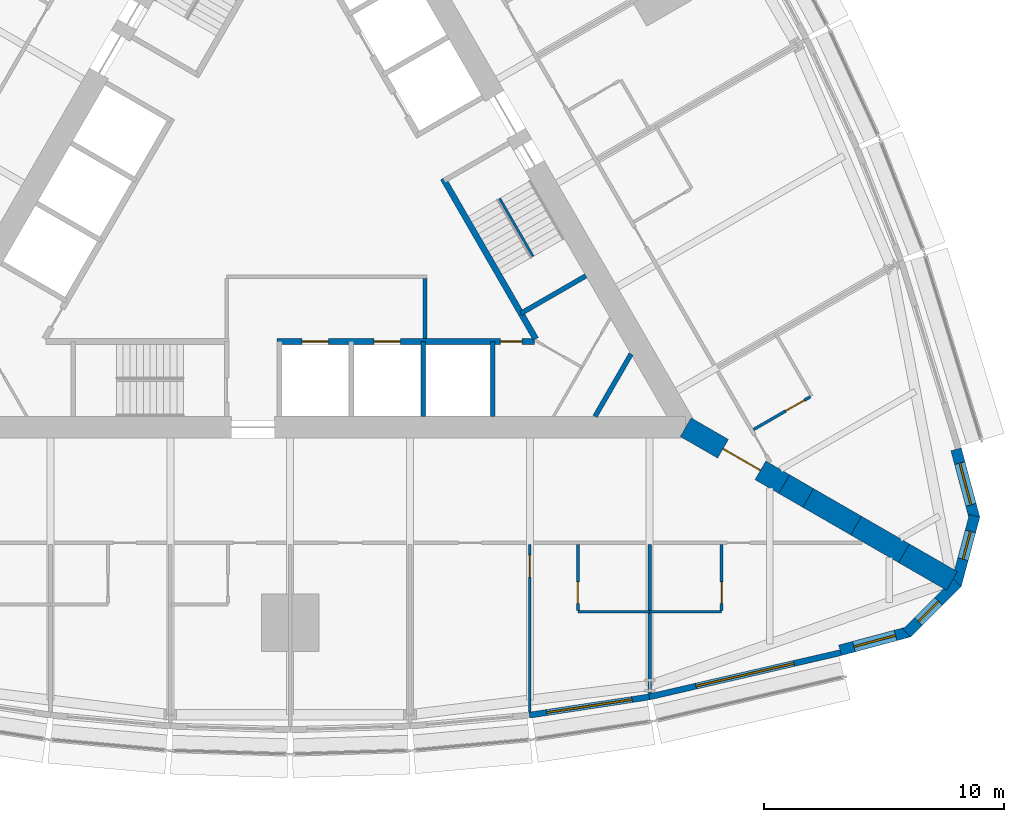
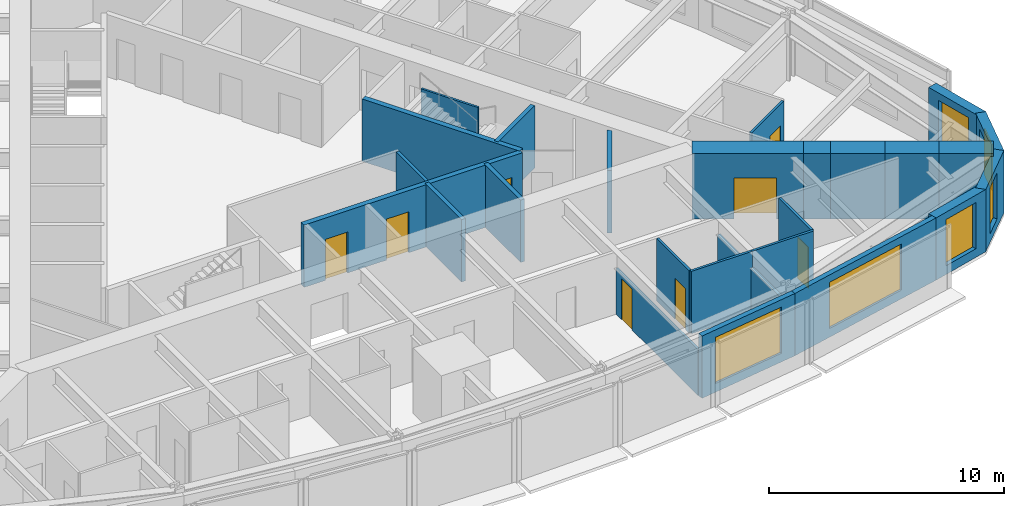
# One storey, part 10 of 14: 26 walls, 8 doors, 6 windows, 14 openings.
"""IFC4 building model written with IfcOpenShell, lengths in metres."""

from ifc_helpers import new_model, si_unit, direction, frame, frame_2d, origin, place, context, subcontext, project, spatial, polyline, rectangle, outline, extrude, material, layer, layer_set, type_object, element, fill, save


model = new_model("IFC4")

# Units and contexts
model_context = context("Model", 3, precision=1e-05, world=origin(), true_north=direction((0.0, 1.0)))
body_context = subcontext(model_context, "Body", "Model", "MODEL_VIEW")
ifc_project = project(units=[si_unit("LENGTHUNIT", "METRE"), si_unit("AREAUNIT", "SQUARE_METRE"), si_unit("VOLUMEUNIT", "CUBIC_METRE"), si_unit("PLANEANGLEUNIT", "RADIAN"), si_unit("MASSUNIT", "GRAM", prefix="KILO")], contexts=[model_context])

# Site, building, storey
site_placement = place(None, origin())
site = spatial("IfcSite", under=ifc_project, at=site_placement, CompositionType="ELEMENT")
building_placement = place(site_placement, origin())
building = spatial("IfcBuilding", under=site, at=building_placement, Name="Trikona Tower", CompositionType="ELEMENT")
storey_placement = place(building_placement, frame((0.0, 0.0, 65.89990234375)))
storey = spatial("IfcBuildingStorey", under=building, at=storey_placement, Name="L16", CompositionType="ELEMENT", Elevation=65.89990234375)

# Wall
ifc_material_1 = material(Name="Metal stud and cement board", Category="gypsum")
ifc_layer_1 = layer(ifc_material_1, 0.1201171875)
ifc_layer_set_1 = layer_set([ifc_layer_1], Name="Bathroom wall 120")
wall_type_1 = type_object("IfcWallType", Name="Bathroom wall 120", PredefinedType="PLUMBINGWALL", material=ifc_layer_set_1)
wall_1_placement = place(storey_placement, frame((12.0, -17.226318359375, 0.0), z_axis=(0.0, 0.0, 1.0), x_axis=(1.0, 0.0, 0.0)))
element("IfcWall", 1, at=wall_1_placement, inside=storey, type_object=wall_type_1, Name="Bathroom wall 1605.1", PredefinedType="PLUMBINGWALL", context=body_context, shape_type="SweptSolid", body=[
    extrude(rectangle(XDim=3.0, YDim=0.1201171875, at=frame_2d((1.5, 0.0))), origin(), (0.0, 0.0, 1.0), 3.235107421875),
])

# Wall, opening, door
wall_2_placement = place(storey_placement, frame((12.0, -14.42626953125, 0.0), z_axis=(0.0, 0.0, 1.0), x_axis=(0.0, -1.0, 0.0)))
wall_2 = element("IfcWall", 2, at=wall_2_placement, inside=storey, type_object=wall_type_1, Name="Bathroom wall 1605.1", PredefinedType="PLUMBINGWALL", context=body_context, shape_type="SweptSolid", body=[
    extrude(rectangle(XDim=2.739990234375, YDim=0.1201171875, at=frame_2d((1.3701171875, 0.0))), origin(), (0.0, 0.0, 1.0), 3.235107421875),
])
opening_1_placement = place(wall_2_placement, frame((1.550048828125, 0.0, 0.0)))
opening_1 = element("IfcOpeningElement", 3, at=opening_1_placement, cuts=wall_2, Name="Opening D2", PredefinedType="OPENING", context=body_context, shape_type="SweptSolid", body=[
    extrude(rectangle(XDim=0.89990234375, YDim=2.1298828125, at=frame_2d((0.449951171875, 1.06494140625))), frame((0.0, 0.070068359375, 0.0), z_axis=(0.0, -1.0, 0.0), x_axis=(1.0, 0.0, 0.0)), (0.0, 0.0, 1.0), 0.14013671875),
])
ifc_material_2 = material(Name="Steel door frame with solid-core timber leaf", Category="steel")
door_type_1 = type_object("IfcDoorType", Name="Bathroom door 900x2130", OperationType="SLIDING_TO_LEFT", PredefinedType="DOOR", material=ifc_material_2)
door_1_placement = place(opening_1_placement, origin())
door_1 = element("IfcDoor", 4, at=door_1_placement, inside=storey, type_object=door_type_1, Name="Bathroom door 1605.1", OperationType="SLIDING_TO_LEFT", OverallHeight=2.1298828125, OverallWidth=0.89990234375, PredefinedType="DOOR", context=body_context, shape_type="SweptSolid", body=[
    extrude(rectangle(XDim=0.89990234375, YDim=2.1298828125, at=frame_2d((0.449951171875, 1.06494140625))), frame((0.0, 0.02490234375, 0.0), z_axis=(0.0, -1.0, 0.0), x_axis=(1.0, 0.0, 0.0)), (0.0, 0.0, 1.0), 0.050048828125),
])
fill(opening_1, door_1)

# Wall
wall_3_placement = place(storey_placement, frame((15.0, -17.226318359375, 0.0), z_axis=(0.0, 0.0, 1.0), x_axis=(1.0, 0.0, 0.0)))
element("IfcWall", 5, at=wall_3_placement, inside=storey, type_object=wall_type_1, Name="Bathroom wall 1606", PredefinedType="PLUMBINGWALL", context=body_context, shape_type="SweptSolid", body=[
    extrude(rectangle(XDim=3.0, YDim=0.1201171875, at=frame_2d((1.5, 0.0))), origin(), (0.0, 0.0, 1.0), 3.235107421875),
])

# Wall, opening, door
wall_4_placement = place(storey_placement, frame((18.0, -14.42626953125, 0.0), z_axis=(0.0, 0.0, 1.0), x_axis=(0.0, -1.0, 0.0)))
wall_4 = element("IfcWall", 6, at=wall_4_placement, inside=storey, type_object=wall_type_1, Name="Bathroom wall 1606", PredefinedType="PLUMBINGWALL", context=body_context, shape_type="SweptSolid", body=[
    extrude(rectangle(XDim=2.739990234375, YDim=0.1201171875, at=frame_2d((1.3701171875, 0.0))), origin(), (0.0, 0.0, 1.0), 3.235107421875),
])
opening_2_placement = place(wall_4_placement, frame((1.550048828125, 0.0, 0.0)))
opening_2 = element("IfcOpeningElement", 7, at=opening_2_placement, cuts=wall_4, Name="Opening D2", PredefinedType="OPENING", context=body_context, shape_type="SweptSolid", body=[
    extrude(rectangle(XDim=0.89990234375, YDim=2.1298828125, at=frame_2d((0.449951171875, 1.06494140625))), frame((0.0, 0.070068359375, 0.0), z_axis=(0.0, -1.0, 0.0), x_axis=(1.0, 0.0, 0.0)), (0.0, 0.0, 1.0), 0.14013671875),
])
door_2_placement = place(opening_2_placement, origin())
door_2 = element("IfcDoor", 8, at=door_2_placement, inside=storey, type_object=door_type_1, Name="Bathroom door 1606", OperationType="SLIDING_TO_LEFT", OverallHeight=2.1298828125, OverallWidth=0.89990234375, PredefinedType="DOOR", context=body_context, shape_type="SweptSolid", body=[
    extrude(rectangle(XDim=0.89990234375, YDim=2.1298828125, at=frame_2d((0.449951171875, 1.06494140625))), frame((0.0, 0.02490234375, 0.0), z_axis=(0.0, -1.0, 0.0), x_axis=(1.0, 0.0, 0.0)), (0.0, 0.0, 1.0), 0.050048828125),
])
fill(opening_2, door_2)

wall_5_placement = place(storey_placement, frame((19.32861328125, -9.625244140625, 0.0), z_axis=(0.0, 0.0, 1.0), x_axis=(0.866035715982, 0.499982138324, 0.0)))
wall_5 = element("IfcWall", 9, at=wall_5_placement, inside=storey, type_object=wall_type_1, Name="Bathroom wall 1607", PredefinedType="PLUMBINGWALL", context=body_context, shape_type="SweptSolid", body=[
    extrude(rectangle(XDim=2.73974609375, YDim=0.1201171875, at=frame_2d((1.369873046875, 0.0))), origin(), (0.0, 0.0, 1.0), 3.235107421875),
])
opening_3_placement = place(wall_5_placement, frame((1.550048828125, 0.0, 0.0)))
opening_3 = element("IfcOpeningElement", 10, at=opening_3_placement, cuts=wall_5, Name="Opening D2", PredefinedType="OPENING", context=body_context, shape_type="SweptSolid", body=[
    extrude(rectangle(XDim=0.89990234375, YDim=2.1298828125, at=frame_2d((0.449951171875, 1.06494140625))), frame((0.0, 0.070068359375, 0.0), z_axis=(0.0, -1.0, 0.0), x_axis=(1.0, 0.0, 0.0)), (0.0, 0.0, 1.0), 0.14013671875),
])
door_3_placement = place(opening_3_placement, origin())
door_3 = element("IfcDoor", 11, at=door_3_placement, inside=storey, type_object=door_type_1, Name="Bathroom door 1607", OperationType="SLIDING_TO_LEFT", OverallHeight=2.1298828125, OverallWidth=0.89990234375, PredefinedType="DOOR", context=body_context, shape_type="SweptSolid", body=[
    extrude(rectangle(XDim=0.89990234375, YDim=2.1298828125, at=frame_2d((0.449951171875, 1.06494140625))), frame((0.0, 0.02490234375, 0.0), z_axis=(0.0, -1.0, 0.0), x_axis=(1.0, 0.0, 0.0)), (0.0, 0.0, 1.0), 0.050048828125),
])
fill(opening_3, door_3)

# Wall, opening, window
ifc_material_3 = material(Name="Brick-faced precast concrete", Category="masonry")
ifc_layer_2 = layer(ifc_material_3, 0.449951171875)
ifc_layer_set_2 = layer_set([ifc_layer_2], Name="Brick-faced corner wall 450")
wall_type_2 = type_object("IfcWallType", Name="Brick-faced corner wall 450", PredefinedType="SOLIDWALL", material=ifc_layer_set_2)
wall_6_placement = place(storey_placement, frame((22.94189453125, -18.835205078125, 0.0), z_axis=(0.0, 0.0, 1.0), x_axis=(0.965930548995, 0.258801419081, 0.0)))
wall_6 = element("IfcWall", 12, at=wall_6_placement, inside=storey, type_object=wall_type_2, Name="External wall L16-08", PredefinedType="SOLIDWALL", context=body_context, shape_type="SweptSolid", body=[
    extrude(rectangle(XDim=2.988525390625, YDim=0.449951171875, at=frame_2d((1.494140625, 0.0))), origin(), (0.0, 0.0, 1.0), 3.235107421875),
])
opening_4_placement = place(wall_6_placement, frame((0.59423828125, 0.0, 0.449951171875)))
opening_4 = element("IfcOpeningElement", 13, at=opening_4_placement, cuts=wall_6, Name="Opening W1824", PredefinedType="OPENING", context=body_context, shape_type="SweptSolid", body=[
    extrude(rectangle(XDim=1.800048828125, YDim=2.39990234375, at=frame_2d((0.89990234375, 1.199951171875))), frame((0.0, 0.23486328125, 0.0), z_axis=(0.0, -1.0, 0.0), x_axis=(1.0, 0.0, 0.0)), (0.0, 0.0, 1.0), 0.469970703125),
])
ifc_material_4 = material(Name="Aluminium-framed double glazing", Category="aluminium")
window_type_1 = type_object("IfcWindowType", Name="Window 1800x2400", PartitioningType="SINGLE_PANEL", PredefinedType="WINDOW", material=ifc_material_4)
window_1_placement = place(opening_4_placement, origin())
window_1 = element("IfcWindow", 14, at=window_1_placement, inside=storey, type_object=window_type_1, Name="Window 1606", OverallHeight=2.39990234375, OverallWidth=1.800048828125, PartitioningType="SINGLE_PANEL", PredefinedType="WINDOW", context=body_context, shape_type="SweptSolid", body=[
    extrude(rectangle(XDim=1.800048828125, YDim=2.39990234375, at=frame_2d((0.89990234375, 1.199951171875))), frame((0.0, 0.030029296875, 0.0), z_axis=(0.0, -1.0, 0.0), x_axis=(1.0, 0.0, 0.0)), (0.0, 0.0, 1.0), 0.06005859375),
])
fill(opening_4, window_1)

wall_7_placement = place(storey_placement, frame((25.727783203125, -18.1201171875, 0.0), z_axis=(0.0, 0.0, 1.0), x_axis=(0.707025086683, 0.707188466253, 0.0)))
wall_7 = element("IfcWall", 15, at=wall_7_placement, inside=storey, type_object=wall_type_2, Name="External wall L16-09", PredefinedType="SOLIDWALL", context=body_context, shape_type="SweptSolid", body=[
    extrude(outline(polyline([(2.988525390625, 0.22509765625), (2.929931640625, 0.22509765625), (2.4375, 0.093017578125), (2.402099609375, 0.22509765625), (0.0, 0.22509765625), (0.0, -0.22509765625), (2.988525390625, -0.22509765625), (2.988525390625, 0.22509765625)])), origin(), (0.0, 0.0, 1.0), 3.235107421875),
])
opening_5_placement = place(wall_7_placement, frame((0.676025390625, 0.0, 0.449951171875)))
opening_5 = element("IfcOpeningElement", 16, at=opening_5_placement, cuts=wall_7, Name="Opening W1224", PredefinedType="OPENING", context=body_context, shape_type="SweptSolid", body=[
    extrude(rectangle(XDim=1.199951171875, YDim=2.39990234375, at=frame_2d((0.60009765625, 1.199951171875))), frame((0.0, 0.23486328125, 0.0), z_axis=(0.0, -1.0, 0.0), x_axis=(1.0, 0.0, 0.0)), (0.0, 0.0, 1.0), 0.469970703125),
])
ifc_material_5 = material(Name="Aluminium-framed double glazing", Category="aluminium")
window_type_2 = type_object("IfcWindowType", Name="Window 1200x2400", PartitioningType="SINGLE_PANEL", PredefinedType="WINDOW", material=ifc_material_5)
window_2_placement = place(opening_5_placement, origin())
window_2 = element("IfcWindow", 17, at=window_2_placement, inside=storey, type_object=window_type_2, Name="Window 1606", OverallHeight=2.39990234375, OverallWidth=1.199951171875, PartitioningType="SINGLE_PANEL", PredefinedType="WINDOW", context=body_context, shape_type="SweptSolid", body=[
    extrude(rectangle(XDim=1.199951171875, YDim=2.39990234375, at=frame_2d((0.60009765625, 1.199951171875))), frame((0.0, 0.030029296875, 0.0), z_axis=(0.0, -1.0, 0.0), x_axis=(1.0, 0.0, 0.0)), (0.0, 0.0, 1.0), 0.06005859375),
])
fill(opening_5, window_2)

wall_8_placement = place(storey_placement, frame((27.78271484375, -16.107666015625, 0.0), z_axis=(0.0, 0.0, 1.0), x_axis=(0.258801419081, 0.965930548995, 0.0)))
wall_8 = element("IfcWall", 18, at=wall_8_placement, inside=storey, type_object=wall_type_2, Name="External wall L16-10", PredefinedType="SOLIDWALL", context=body_context, shape_type="SweptSolid", body=[
    extrude(outline(polyline([(2.988525390625, 0.22509765625), (0.58642578125, 0.22509765625), (0.55126953125, 0.09326171875), (0.0595703125, 0.22509765625), (0.0, 0.22509765625), (0.0, -0.22509765625), (2.988525390625, -0.22509765625), (2.988525390625, 0.22509765625)])), origin(), (0.0, 0.0, 1.0), 3.235107421875),
])
opening_6_placement = place(wall_8_placement, frame((1.112548828125, 0.0, 0.449951171875)))
opening_6 = element("IfcOpeningElement", 19, at=opening_6_placement, cuts=wall_8, Name="Opening W1224", PredefinedType="OPENING", context=body_context, shape_type="SweptSolid", body=[
    extrude(rectangle(XDim=1.199951171875, YDim=2.39990234375, at=frame_2d((0.60009765625, 1.199951171875))), frame((0.0, 0.23486328125, 0.0), z_axis=(0.0, -1.0, 0.0), x_axis=(1.0, 0.0, 0.0)), (0.0, 0.0, 1.0), 0.469970703125),
])
window_3_placement = place(opening_6_placement, origin())
window_3 = element("IfcWindow", 20, at=window_3_placement, inside=storey, type_object=window_type_2, Name="Window 1607", OverallHeight=2.39990234375, OverallWidth=1.199951171875, PartitioningType="SINGLE_PANEL", PredefinedType="WINDOW", context=body_context, shape_type="SweptSolid", body=[
    extrude(rectangle(XDim=1.199951171875, YDim=2.39990234375, at=frame_2d((0.60009765625, 1.199951171875))), frame((0.0, 0.030029296875, 0.0), z_axis=(0.0, -1.0, 0.0), x_axis=(1.0, 0.0, 0.0)), (0.0, 0.0, 1.0), 0.06005859375),
])
fill(opening_6, window_3)

wall_9_placement = place(storey_placement, frame((28.55615234375, -13.33740234375, 0.0), z_axis=(0.0, 0.0, 1.0), x_axis=(-0.258780998834, 0.965936019953, 0.0)))
wall_9 = element("IfcWall", 21, at=wall_9_placement, inside=storey, type_object=wall_type_2, Name="External wall L16-11", PredefinedType="SOLIDWALL", context=body_context, shape_type="SweptSolid", body=[
    extrude(rectangle(XDim=2.98876953125, YDim=0.449951171875, at=frame_2d((1.494384765625, 0.0))), origin(), (0.0, 0.0, 1.0), 3.235107421875),
])
opening_7_placement = place(wall_9_placement, frame((0.59423828125, 0.0, 0.449951171875)))
opening_7 = element("IfcOpeningElement", 22, at=opening_7_placement, cuts=wall_9, Name="Opening W1824", PredefinedType="OPENING", context=body_context, shape_type="SweptSolid", body=[
    extrude(rectangle(XDim=1.800048828125, YDim=2.39990234375, at=frame_2d((0.89990234375, 1.199951171875))), frame((0.0, 0.23486328125, 0.0), z_axis=(0.0, -1.0, 0.0), x_axis=(1.0, 0.0, 0.0)), (0.0, 0.0, 1.0), 0.469970703125),
])
window_4_placement = place(opening_7_placement, origin())
window_4 = element("IfcWindow", 23, at=window_4_placement, inside=storey, type_object=window_type_1, Name="Window 1607", OverallHeight=2.39990234375, OverallWidth=1.800048828125, PartitioningType="SINGLE_PANEL", PredefinedType="WINDOW", context=body_context, shape_type="SweptSolid", body=[
    extrude(rectangle(XDim=1.800048828125, YDim=2.39990234375, at=frame_2d((0.89990234375, 1.199951171875))), frame((0.0, 0.030029296875, 0.0), z_axis=(0.0, -1.0, 0.0), x_axis=(1.0, 0.0, 0.0)), (0.0, 0.0, 1.0), 0.06005859375),
])
fill(opening_7, window_4)

# Wall, opening, door
ifc_material_6 = material(Name="Concrete f'c 10000 psi", Category="concrete")
ifc_layer_3 = layer(ifc_material_6, 0.89990234375)
ifc_layer_set_3 = layer_set([ifc_layer_3], Name="Buttress wall 900")
wall_type_3 = type_object("IfcWallType", Name="Buttress wall 900", PredefinedType="SHEAR", material=ifc_layer_set_3)
wall_10_placement = place(storey_placement, frame((16.5, -9.5263671875, 0.0), z_axis=(0.0, 0.0, 1.0), x_axis=(0.866031398331, -0.499989616998, 0.0)))
wall_10 = element("IfcWall", 24, at=wall_10_placement, inside=storey, type_object=wall_type_3, Name="Buttress wall 1", PredefinedType="SHEAR", context=body_context, shape_type="SweptSolid", body=[
    extrude(rectangle(XDim=4.74609375, YDim=0.89990234375, at=frame_2d((2.373046875, 0.0))), origin(), (0.0, 0.0, 1.0), 3.400146484375),
])
opening_8_placement = place(wall_10_placement, frame((1.800048828125, 0.0, 0.0)))
opening_8 = element("IfcOpeningElement", 25, at=opening_8_placement, cuts=wall_10, Name="Opening D10", PredefinedType="OPENING", context=body_context, shape_type="SweptSolid", body=[
    extrude(rectangle(XDim=1.800048828125, YDim=2.1298828125, at=frame_2d((0.89990234375, 1.06494140625))), frame((0.0, 0.4599609375, 0.0), z_axis=(0.0, -1.0, 0.0), x_axis=(1.0, 0.0, 0.0)), (0.0, 0.0, 1.0), 0.919921875),
])
ifc_material_7 = material(Name="Hollow metal door and frame", Category="steel")
door_type_2 = type_object("IfcDoorType", Name="Cross-corridor door pair 1800x2130", OperationType="DOUBLE_DOOR_DOUBLE_SWING", PredefinedType="DOOR", material=ifc_material_7)
door_4_placement = place(opening_8_placement, origin())
door_4 = element("IfcDoor", 26, at=door_4_placement, inside=storey, type_object=door_type_2, Name="Cross-corridor door 1", OperationType="DOUBLE_DOOR_DOUBLE_SWING", OverallHeight=2.1298828125, OverallWidth=1.800048828125, PredefinedType="DOOR", context=body_context, shape_type="SweptSolid", body=[
    extrude(rectangle(XDim=1.800048828125, YDim=2.1298828125, at=frame_2d((0.89990234375, 1.06494140625))), frame((0.0, 0.02490234375, 0.0), z_axis=(0.0, -1.0, 0.0), x_axis=(1.0, 0.0, 0.0)), (0.0, 0.0, 1.0), 0.050048828125),
])
fill(opening_8, door_4)

# Walls
wall_11_placement = place(storey_placement, frame((20.6103515625, -11.8994140625, 0.0), z_axis=(0.0, 0.0, 1.0), x_axis=(0.866009537788, -0.500027479704, 0.0)))
element("IfcWall", 27, at=wall_11_placement, inside=storey, type_object=wall_type_3, Name="Buttress wall 1 part 2", PredefinedType="SHEAR", context=body_context, shape_type="SweptSolid", body=[
    extrude(rectangle(XDim=1.15478515625, YDim=0.89990234375, at=frame_2d((0.577392578125, 0.0))), origin(), (0.0, 0.0, 1.0), 3.400146484375),
])
for number, where, z_axis, x_axis, name in (
    (28, (21.6103515625, -12.476806640625, 0.0), (0.0, 0.0, 1.0), (0.866055313784, -0.499948190782, 0.0), "Buttress wall 1 part 3"),
    (29, (23.6103515625, -13.63134765625, 0.0), (0.0, 0.0, 1.0), (0.866009537788, -0.500027479704, 0.0), "Buttress wall 1 part 4"),
    (30, (25.6103515625, -14.7861328125, 0.0), (0.0, 0.0, 1.0), (0.866009537788, -0.500027479704, 0.0), "Buttress wall 1 part 5"),
):
    element("IfcWall", number, at=place(storey_placement, frame(where, z_axis=z_axis, x_axis=x_axis)), inside=storey, type_object=wall_type_3, Name=name, PredefinedType="SHEAR", context=body_context, shape_type="SweptSolid", body=[
        extrude(rectangle(XDim=2.309326171875, YDim=0.89990234375, at=frame_2d((1.15478515625, 0.0))), origin(), (0.0, 0.0, 1.0), 3.400146484375),
    ])

# Wall, openings, doors
ifc_material_8 = material(Name="Concrete f'c 8000 psi", Category="concrete")
ifc_layer_4 = layer(ifc_material_8, 0.25)
ifc_layer_set_4 = layer_set([ifc_layer_4], Name="Hub wall 250")
wall_type_4 = type_object("IfcWallType", Name="Hub wall 250", PredefinedType="SOLIDWALL", material=ifc_layer_set_4)
wall_12_placement = place(storey_placement, frame((-0.550048828125, -5.951416015625, 0.0), z_axis=(0.0, 0.0, 1.0), x_axis=(1.0, 0.0, 0.0)))
wall_12 = element("IfcWall", 31, at=wall_12_placement, inside=storey, type_object=wall_type_4, Name="Lift lobby wall A2", PredefinedType="SOLIDWALL", context=body_context, shape_type="SweptSolid", body=[
    extrude(rectangle(XDim=10.73291015625, YDim=0.25, at=frame_2d((5.366455078125, 0.0))), origin(), (0.0, 0.0, 1.0), 3.235107421875),
])
opening_9_placement = place(wall_12_placement, frame((9.31396484375, 0.0, 0.0)))
opening_9 = element("IfcOpeningElement", 32, at=opening_9_placement, cuts=wall_12, Name="Opening D14", PredefinedType="OPENING", context=body_context, shape_type="SweptSolid", body=[
    extrude(rectangle(XDim=0.89990234375, YDim=2.1298828125, at=frame_2d((0.449951171875, 1.06494140625))), frame((0.0, 0.135009765625, 0.0), z_axis=(0.0, -1.0, 0.0), x_axis=(1.0, 0.0, 0.0)), (0.0, 0.0, 1.0), 0.27001953125),
])
opening_10_placement = place(wall_12_placement, frame((1.050048828125, 0.0, 0.0)))
opening_10 = element("IfcOpeningElement", 33, at=opening_10_placement, cuts=wall_12, Name="Opening LD", PredefinedType="OPENING", context=body_context, shape_type="SweptSolid", body=[
    extrude(rectangle(XDim=1.10009765625, YDim=2.1298828125, at=frame_2d((0.550048828125, 1.06494140625))), frame((0.0, 0.135009765625, 0.0), z_axis=(0.0, -1.0, 0.0), x_axis=(1.0, 0.0, 0.0)), (0.0, 0.0, 1.0), 0.27001953125),
])
opening_11_placement = place(wall_12_placement, frame((4.050048828125, 0.0, 0.0)))
opening_11 = element("IfcOpeningElement", 34, at=opening_11_placement, cuts=wall_12, Name="Opening LD", PredefinedType="OPENING", context=body_context, shape_type="SweptSolid", body=[
    extrude(rectangle(XDim=1.10009765625, YDim=2.1298828125, at=frame_2d((0.550048828125, 1.06494140625))), frame((0.0, 0.135009765625, 0.0), z_axis=(0.0, -1.0, 0.0), x_axis=(1.0, 0.0, 0.0)), (0.0, 0.0, 1.0), 0.27001953125),
])
ifc_material_9 = material(Name="Stainless steel lift landing door", Category="steel")
door_type_3 = type_object("IfcDoorType", Name="Lift landing door 1100x2130", OperationType="DOUBLE_DOOR_SLIDING", PredefinedType="USERDEFINED", material=ifc_material_9)
door_5_placement = place(opening_10_placement, origin())
door_5 = element("IfcDoor", 35, at=door_5_placement, inside=storey, type_object=door_type_3, Name="Lift landing door FF1", ObjectType="LIFT LANDING DOOR", OperationType="DOUBLE_DOOR_SLIDING", OverallHeight=2.1298828125, OverallWidth=1.10009765625, PredefinedType="USERDEFINED", context=body_context, shape_type="SweptSolid", body=[
    extrude(rectangle(XDim=1.10009765625, YDim=2.1298828125, at=frame_2d((0.550048828125, 1.06494140625))), frame((0.0, 0.02490234375, 0.0), z_axis=(0.0, -1.0, 0.0), x_axis=(1.0, 0.0, 0.0)), (0.0, 0.0, 1.0), 0.050048828125),
])
fill(opening_10, door_5)
door_6_placement = place(opening_11_placement, origin())
door_6 = element("IfcDoor", 36, at=door_6_placement, inside=storey, type_object=door_type_3, Name="Lift landing door FF2", ObjectType="LIFT LANDING DOOR", OperationType="DOUBLE_DOOR_SLIDING", OverallHeight=2.1298828125, OverallWidth=1.10009765625, PredefinedType="USERDEFINED", context=body_context, shape_type="SweptSolid", body=[
    extrude(rectangle(XDim=1.10009765625, YDim=2.1298828125, at=frame_2d((0.550048828125, 1.06494140625))), frame((0.0, 0.02490234375, 0.0), z_axis=(0.0, -1.0, 0.0), x_axis=(1.0, 0.0, 0.0)), (0.0, 0.0, 1.0), 0.050048828125),
])
fill(opening_11, door_6)
ifc_material_10 = material(Name="Hollow metal door and frame", Category="steel")
door_type_4 = type_object("IfcDoorType", Name="Service room door 900x2130", OperationType="SINGLE_SWING_LEFT", PredefinedType="DOOR", material=ifc_material_10)
door_7_placement = place(opening_9_placement, origin())
door_7 = element("IfcDoor", 37, at=door_7_placement, inside=storey, type_object=door_type_4, Name="Door Linen store LIN", OperationType="SINGLE_SWING_RIGHT", OverallHeight=2.1298828125, OverallWidth=0.89990234375, PredefinedType="DOOR", context=body_context, shape_type="SweptSolid", body=[
    extrude(rectangle(XDim=0.89990234375, YDim=2.1298828125, at=frame_2d((0.449951171875, 1.06494140625))), frame((0.0, 0.02490234375, 0.0), z_axis=(0.0, -1.0, 0.0), x_axis=(1.0, 0.0, 0.0)), (0.0, 0.0, 1.0), 0.050048828125),
])
fill(opening_9, door_7)

# Wall
wall_13_placement = place(storey_placement, frame((10.245361328125, -5.843017578125, 0.0), z_axis=(0.0, 0.0, 1.0), x_axis=(-0.499993009313, 0.866029439822, 0.0)))
element("IfcWall", 38, at=wall_13_placement, inside=storey, type_object=wall_type_4, Name="Lift lobby wall B1", PredefinedType="SOLIDWALL", context=body_context, shape_type="SweptSolid", body=[
    extrude(rectangle(XDim=7.73291015625, YDim=0.25, at=frame_2d((3.866455078125, 0.0))), origin(), (0.0, 0.0, 1.0), 3.235107421875),
])

# Wall, opening, window
ifc_material_11 = material(Name="Insulated precast concrete spandrel panel", Category="concrete")
ifc_layer_5 = layer(ifc_material_11, 0.25)
ifc_layer_set_5 = layer_set([ifc_layer_5], Name="Inner skin wall 250")
wall_type_5 = type_object("IfcWallType", Name="Inner skin wall 250", PredefinedType="STANDARD", material=ifc_layer_set_5)
wall_14_placement = place(storey_placement, frame((9.981201171875, -21.540283203125, 0.0), z_axis=(0.0, 0.0, 1.0), x_axis=(0.988615403399, 0.150464561152, 0.0)))
wall_14 = element("IfcWall", 39, at=wall_14_placement, inside=storey, type_object=wall_type_5, Name="External wall L16-06", PredefinedType="STANDARD", context=body_context, shape_type="SweptSolid", body=[
    extrude(rectangle(XDim=5.0576171875, YDim=0.25, at=frame_2d((2.52880859375, 0.0))), origin(), (0.0, 0.0, 1.0), 3.235107421875),
])
opening_12_placement = place(wall_14_placement, frame((0.728759765625, 0.0, 0.449951171875)))
opening_12 = element("IfcOpeningElement", 40, at=opening_12_placement, cuts=wall_14, Name="Opening W3624", PredefinedType="OPENING", context=body_context, shape_type="SweptSolid", body=[
    extrude(rectangle(XDim=3.60009765625, YDim=2.39990234375, at=frame_2d((1.800048828125, 1.199951171875))), frame((0.0, 0.135009765625, 0.0), z_axis=(0.0, -1.0, 0.0), x_axis=(1.0, 0.0, 0.0)), (0.0, 0.0, 1.0), 0.27001953125),
])
ifc_material_12 = material(Name="Aluminium-framed double glazing", Category="aluminium")
window_type_3 = type_object("IfcWindowType", Name="Window 3600x2400", PartitioningType="SINGLE_PANEL", PredefinedType="WINDOW", material=ifc_material_12)
window_5_placement = place(opening_12_placement, origin())
window_5 = element("IfcWindow", 41, at=window_5_placement, inside=storey, type_object=window_type_3, Name="Window 1605.1", OverallHeight=2.39990234375, OverallWidth=3.60009765625, PartitioningType="SINGLE_PANEL", PredefinedType="WINDOW", context=body_context, shape_type="SweptSolid", body=[
    extrude(rectangle(XDim=3.60009765625, YDim=2.39990234375, at=frame_2d((1.800048828125, 1.199951171875))), frame((0.0, 0.030029296875, 0.0), z_axis=(0.0, -1.0, 0.0), x_axis=(1.0, 0.0, 0.0)), (0.0, 0.0, 1.0), 0.06005859375),
])
fill(opening_12, window_5)

wall_15_placement = place(storey_placement, frame((14.9716796875, -20.78125, 0.0), z_axis=(0.0, 0.0, 1.0), x_axis=(0.974279327392, 0.225343720163, 0.0)))
wall_15 = element("IfcWall", 42, at=wall_15_placement, inside=storey, type_object=wall_type_5, Name="External wall L16-07", PredefinedType="STANDARD", context=body_context, shape_type="SweptSolid", body=[
    extrude(rectangle(XDim=8.211181640625, YDim=0.25, at=frame_2d((4.10546875, 0.0))), origin(), (0.0, 0.0, 1.0), 3.235107421875),
])
opening_13_placement = place(wall_15_placement, frame((2.005615234375, 0.0, 0.449951171875)))
opening_13 = element("IfcOpeningElement", 43, at=opening_13_placement, cuts=wall_15, Name="Opening W4224", PredefinedType="OPENING", context=body_context, shape_type="SweptSolid", body=[
    extrude(rectangle(XDim=4.199951171875, YDim=2.39990234375, at=frame_2d((2.10009765625, 1.199951171875))), frame((0.0, 0.135009765625, 0.0), z_axis=(0.0, -1.0, 0.0), x_axis=(1.0, 0.0, 0.0)), (0.0, 0.0, 1.0), 0.27001953125),
])
ifc_material_13 = material(Name="Aluminium-framed double glazing", Category="aluminium")
window_type_4 = type_object("IfcWindowType", Name="Window 4200x2400", PartitioningType="SINGLE_PANEL", PredefinedType="WINDOW", material=ifc_material_13)
window_6_placement = place(opening_13_placement, origin())
window_6 = element("IfcWindow", 44, at=window_6_placement, inside=storey, type_object=window_type_4, Name="Window 1606", OverallHeight=2.39990234375, OverallWidth=4.199951171875, PartitioningType="SINGLE_PANEL", PredefinedType="WINDOW", context=body_context, shape_type="SweptSolid", body=[
    extrude(rectangle(XDim=4.199951171875, YDim=2.39990234375, at=frame_2d((2.10009765625, 1.199951171875))), frame((0.0, 0.030029296875, 0.0), z_axis=(0.0, -1.0, 0.0), x_axis=(1.0, 0.0, 0.0)), (0.0, 0.0, 1.0), 0.06005859375),
])
fill(opening_13, window_6)

# Walls
ifc_material_14 = material(Name="Metal stud and gypsum board, 2-hour shaft wall", Category="gypsum")
ifc_layer_6 = layer(ifc_material_14, 0.14990234375)
ifc_layer_set_6 = layer_set([ifc_layer_6], Name="Lobby wall 150")
wall_type_6 = type_object("IfcWallType", Name="Lobby wall 150", PredefinedType="PARTITIONING", material=ifc_layer_set_6)
wall_16_placement = place(storey_placement, frame((5.625, -5.826416015625, 0.0), z_axis=(0.0, 0.0, 1.0), x_axis=(0.0, 1.0, 0.0)))
element("IfcWall", 45, at=wall_16_placement, inside=storey, type_object=wall_type_6, Name="Fire service lift lobby wall 3", PredefinedType="PARTITIONING", context=body_context, shape_type="SweptSolid", body=[
    extrude(rectangle(XDim=2.5, YDim=0.14990234375, at=frame_2d((1.25, 0.0))), origin(), (0.0, 0.0, 1.0), 3.235107421875),
])
ifc_material_15 = material(Name="Metal stud and gypsum board, 1-hour acoustic", Category="gypsum")
ifc_layer_7 = layer(ifc_material_15, 0.14990234375)
ifc_layer_set_7 = layer_set([ifc_layer_7], Name="Party wall 150")
wall_type_7 = type_object("IfcWallType", Name="Party wall 150", PredefinedType="PARTITIONING", material=ifc_layer_set_7)
wall_17_placement = place(storey_placement, frame((15.0, -14.42626953125, 0.0), z_axis=(0.0, 0.0, 1.0), x_axis=(0.0, -1.0, 0.0)))
element("IfcWall", 46, at=wall_17_placement, inside=storey, type_object=wall_type_7, Name="Partition L16 F1 u15", PredefinedType="PARTITIONING", context=body_context, shape_type="SweptSolid", body=[
    extrude(rectangle(XDim=6.22021484375, YDim=0.14990234375, at=frame_2d((3.110107421875, 0.0))), origin(), (0.0, 0.0, 1.0), 2.389404296875),
])
ifc_material_16 = material(Name="Concrete f'c 8000 psi", Category="concrete")
ifc_layer_8 = layer(ifc_material_16, 0.199951171875)
ifc_layer_set_8 = layer_set([ifc_layer_8], Name="Shaft wall 200")
wall_type_8 = type_object("IfcWallType", Name="Shaft wall 200", PredefinedType="SOLIDWALL", material=ifc_layer_set_8)
for number, where, z_axis, x_axis, name in (
    (47, (5.550048828125, -5.951416015625, 0.0), (0.0, 0.0, 1.0), (0.0, -1.0, 0.0), "Shaft wall A5"),
    (48, (8.449951171875, -5.951416015625, 0.0), (0.0, 0.0, 1.0), (0.0, -1.0, 0.0), "Shaft wall A6"),
):
    element("IfcWall", number, at=place(storey_placement, frame(where, z_axis=z_axis, x_axis=x_axis)), inside=storey, type_object=wall_type_8, Name=name, PredefinedType="SOLIDWALL", context=body_context, shape_type="SweptSolid", body=[
        extrude(rectangle(XDim=3.125, YDim=0.199951171875, at=frame_2d((1.5625, 0.0))), origin(), (0.0, 0.0, 1.0), 3.235107421875),
    ])
wall_18_placement = place(storey_placement, frame((14.219482421875, -6.476318359375, 0.0), z_axis=(0.0, 0.0, 1.0), x_axis=(-0.499952404951, -0.866052881055, 0.0)))
element("IfcWall", 49, at=wall_18_placement, inside=storey, type_object=wall_type_8, Name="Riser wall L16-RS1", PredefinedType="SOLIDWALL", context=body_context, shape_type="SweptSolid", body=[
    extrude(rectangle(XDim=3.002197265625, YDim=0.199951171875, at=frame_2d((1.5009765625, 0.0))), origin(), (0.0, 0.0, 1.0), 3.235107421875),
])
ifc_material_17 = material(Name="Concrete f'c 8000 psi", Category="concrete")
ifc_layer_9 = layer(ifc_material_17, 0.199951171875)
ifc_layer_set_9 = layer_set([ifc_layer_9], Name="Shaft wall 200 load-bearing")
wall_type_9 = type_object("IfcWallType", Name="Shaft wall 200 load-bearing", PredefinedType="SOLIDWALL", material=ifc_layer_set_9)
wall_19_placement = place(storey_placement, frame((9.62890625, -4.775390625, 0.0), z_axis=(0.0, 0.0, 1.0), x_axis=(0.866022959057, 0.500004234368, 0.0)))
element("IfcWall", 50, at=wall_19_placement, inside=storey, type_object=wall_type_9, Name="Shaft wall B1", PredefinedType="SOLIDWALL", context=body_context, shape_type="SweptSolid", body=[
    extrude(rectangle(XDim=3.125, YDim=0.199951171875, at=frame_2d((1.5625, 0.0))), origin(), (0.0, 0.0, 1.0), 3.235107421875),
])
ifc_material_18 = material(Name="Concrete f'c 5000 psi", Category="concrete")
ifc_layer_10 = layer(ifc_material_18, 0.10009765625)
ifc_layer_set_10 = layer_set([ifc_layer_10], Name="Stair spine wall 100")
wall_type_10 = type_object("IfcWallType", Name="Stair spine wall 100", PredefinedType="SOLIDWALL", material=ifc_layer_set_10)
wall_20_placement = place(storey_placement, frame((10.134765625, -2.4013671875, 0.0), z_axis=(0.0, 0.0, 1.0), x_axis=(-0.499992232847, 0.866029888106, 0.0)))
element("IfcWall", 51, at=wall_20_placement, inside=storey, type_object=wall_type_10, Name="Stair B spine wall L16", PredefinedType="SOLIDWALL", context=body_context, shape_type="SweptSolid", body=[
    extrude(rectangle(XDim=2.7939453125, YDim=0.10009765625, at=frame_2d((1.39697265625, 0.0))), origin(), (0.0, 0.0, 1.0), 3.400146484375),
])

# Wall, opening, door
ifc_material_19 = material(Name="Metal stud and gypsum board, acoustic", Category="gypsum")
ifc_layer_11 = layer(ifc_material_19, 0.10009765625)
ifc_layer_set_11 = layer_set([ifc_layer_11], Name="Suite partition 100")
wall_type_11 = type_object("IfcWallType", Name="Suite partition 100", PredefinedType="PARTITIONING", material=ifc_layer_set_11)
wall_21_placement = place(storey_placement, frame((10.0, -14.42626953125, 0.0), z_axis=(0.0, 0.0, 1.0), x_axis=(0.0, -1.0, 0.0)))
wall_21 = element("IfcWall", 52, at=wall_21_placement, inside=storey, type_object=wall_type_11, Name="Suite partition L16 F1 u10", PredefinedType="PARTITIONING", context=body_context, shape_type="SweptSolid", body=[
    extrude(rectangle(XDim=6.984619140625, YDim=0.10009765625, at=frame_2d((3.4921875, 0.0))), origin(), (0.0, 0.0, 1.0), 2.389404296875),
])
opening_14_placement = place(wall_21_placement, frame((0.449951171875, 0.0, 0.0)))
opening_14 = element("IfcOpeningElement", 53, at=opening_14_placement, cuts=wall_21, Name="Opening D13", PredefinedType="OPENING", context=body_context, shape_type="SweptSolid", body=[
    extrude(rectangle(XDim=0.89990234375, YDim=2.1298828125, at=frame_2d((0.449951171875, 1.06494140625))), frame((0.0, 0.06005859375, 0.0), z_axis=(0.0, -1.0, 0.0), x_axis=(1.0, 0.0, 0.0)), (0.0, 0.0, 1.0), 0.1201171875),
])
ifc_material_20 = material(Name="Steel door frame with solid-core timber leaf", Category="steel")
door_type_5 = type_object("IfcDoorType", Name="Suite door 900x2130", OperationType="SINGLE_SWING_LEFT", PredefinedType="DOOR", material=ifc_material_20)
door_8_placement = place(opening_14_placement, origin())
door_8 = element("IfcDoor", 54, at=door_8_placement, inside=storey, type_object=door_type_5, Name="Suite door 1605", OperationType="SINGLE_SWING_LEFT", OverallHeight=2.1298828125, OverallWidth=0.89990234375, PredefinedType="DOOR", context=body_context, shape_type="SweptSolid", body=[
    extrude(rectangle(XDim=0.89990234375, YDim=2.1298828125, at=frame_2d((0.449951171875, 1.06494140625))), frame((0.0, 0.02490234375, 0.0), z_axis=(0.0, -1.0, 0.0), x_axis=(1.0, 0.0, 0.0)), (0.0, 0.0, 1.0), 0.050048828125),
])
fill(opening_14, door_8)

save(model, "model.ifc")
